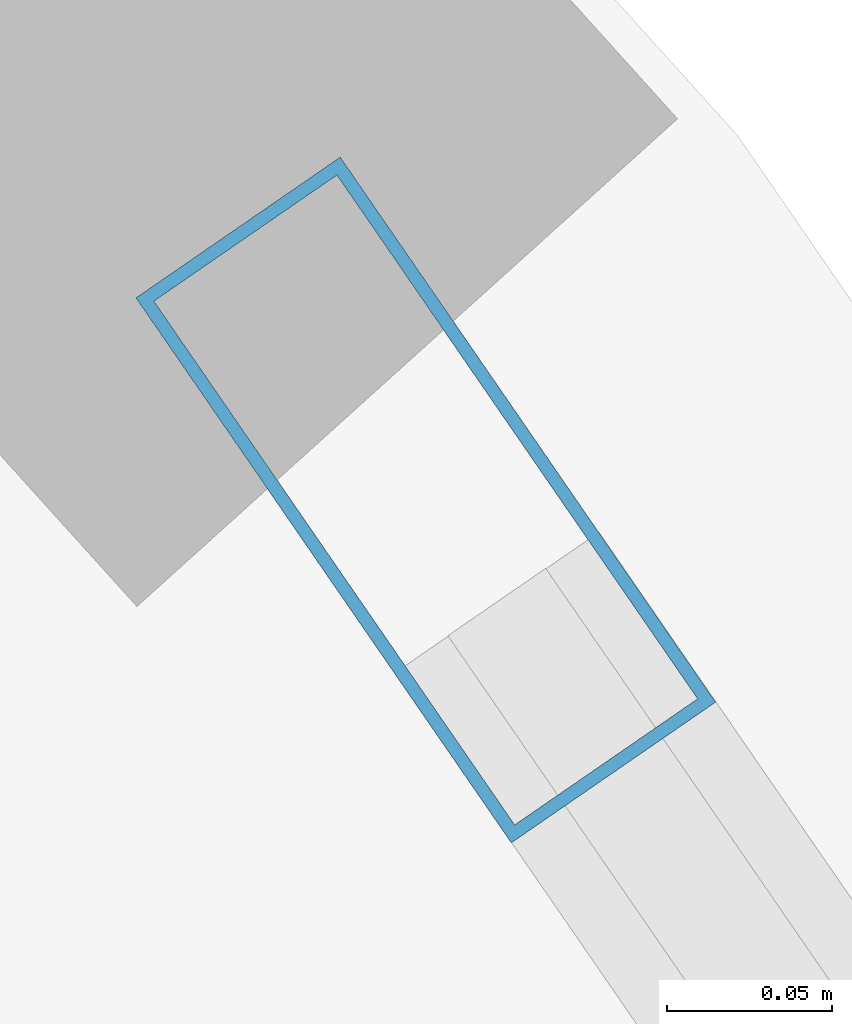
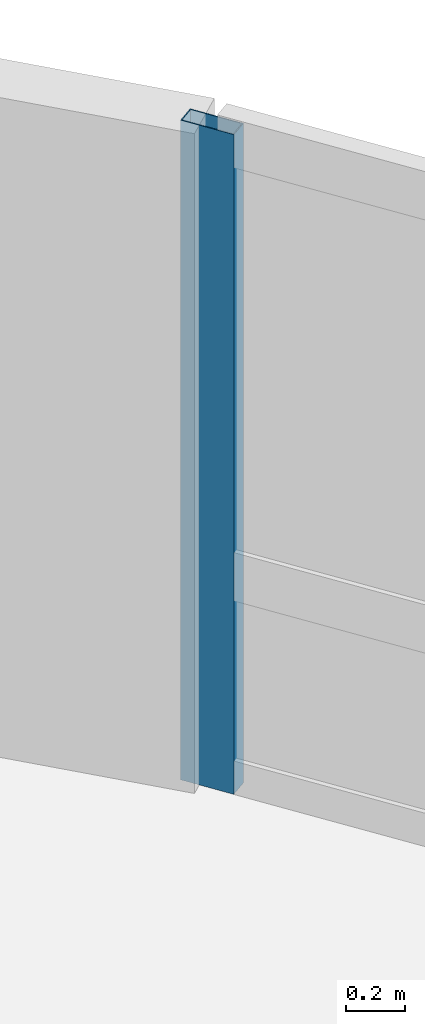
# One storey, part 12 of 21: 1 member, 1 element without a shape of its own.
"""IFC4 building model written with IfcOpenShell, lengths in metres."""

from ifc_helpers import new_model, si_unit, direction, frame, origin, origin_2d, place, context, subcontext, project, spatial, hollow_rectangle, extrude, material, layer, layer_set, material_profile, profile_set, type_object, element, aggregate, save


model = new_model("IFC4")

# Units and contexts
model_context = context("Model", 3, precision=1e-05, world=origin(), true_north=direction((0.0, 1.0)))
body_context = subcontext(model_context, "Body", "Model", "MODEL_VIEW")
ifc_project = project(units=[si_unit("LENGTHUNIT", "METRE"), si_unit("AREAUNIT", "SQUARE_METRE"), si_unit("VOLUMEUNIT", "CUBIC_METRE"), si_unit("PLANEANGLEUNIT", "RADIAN"), si_unit("MASSUNIT", "GRAM", prefix="KILO")], contexts=[model_context])

# Site, building, storey
site_placement = place(None, origin())
site = spatial("IfcSite", under=ifc_project, at=site_placement, CompositionType="ELEMENT")
building_placement = place(site_placement, origin())
building = spatial("IfcBuilding", under=site, at=building_placement, Name="Varnelok Gate Tower", CompositionType="ELEMENT")
storey_placement = place(building_placement, frame((0.0, 0.0, 261.89990234375)))
storey = spatial("IfcBuildingStorey", under=building, at=storey_placement, Name="L67", CompositionType="ELEMENT", Elevation=261.89990234375)

# Curtain wall, member
ifc_material = material(Name="Anodized Aluminum Alloy 6063-T6", Category="aluminium")
ifc_layer = layer(ifc_material, 0.179931640625)
ifc_layer_set = layer_set([ifc_layer], Name="Anodized Aluminum Alloy 6063-T6")
curtain_wall_type = type_object("IfcCurtainWallType", Name="CW4-RESIDENCE-VISION", PredefinedType="USERDEFINED", material=ifc_layer_set)
curtain_wall_placement = place(storey_placement, origin())
curtain_wall = element("IfcCurtainWall", 1, at=curtain_wall_placement, inside=storey, type_object=curtain_wall_type, Name="L67 East End Vision Curtain Wall", ObjectType="UNITISED CURTAIN WALL", PredefinedType="USERDEFINED")
ifc_material_profile = material_profile(ifc_material, hollow_rectangle(XDim=0.074951171875, YDim=0.199951171875, WallThickness=0.00390625, at=origin_2d()), Name="ALU200X75X4")
ifc_profile_set = profile_set([ifc_material_profile], Name="Anodized Aluminum Alloy 6063-T6")
member_type = type_object("IfcMemberType", Name="CW-MULL-200", PredefinedType="MULLION", material=ifc_profile_set)
member_placement = place(storey_placement, frame((57.515380859375, 56.8134765625, 0.0), z_axis=(0.0, 0.0, 1.0), x_axis=(0.823532290241, 0.567269395376, 0.0)))
member = element("IfcMember", 2, at=member_placement, type_object=member_type, Name="CW4 mullion 1", PredefinedType="MULLION", context=body_context, shape_type="SweptSolid", body=[
    extrude(hollow_rectangle(XDim=0.074951171875, YDim=0.199951171875, WallThickness=0.00390625, at=origin_2d()), origin(), (0.0, 0.0, 1.0), 2.72998046875),
])
aggregate(curtain_wall, [member])

save(model, "model.ifc")
